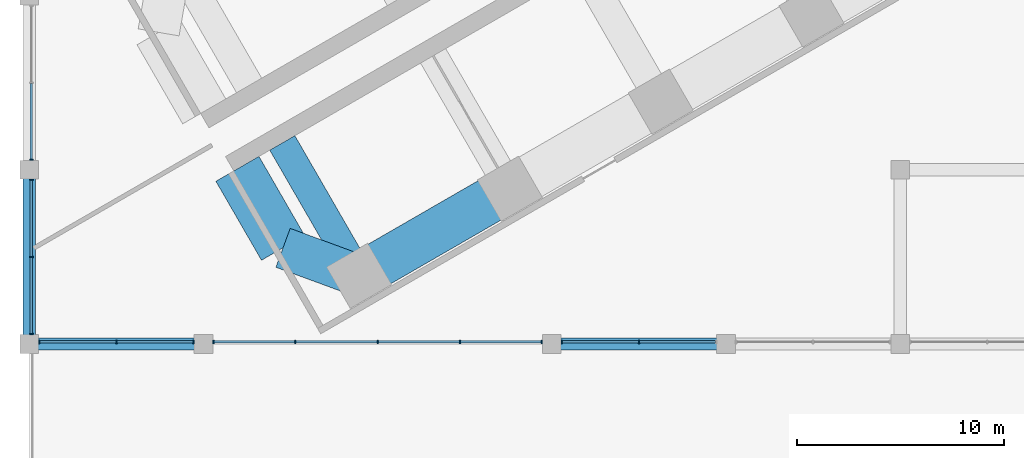
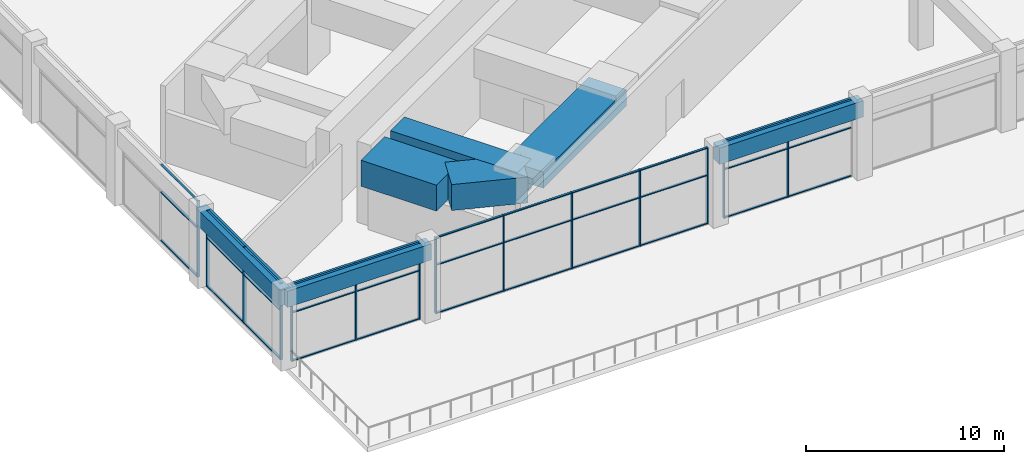
# One storey, part 2 of 36: 47 members, 7 beams, 5 elements without a shape of their own.
"""IFC4 building model written with IfcOpenShell, lengths in metres."""

from ifc_helpers import new_model, si_unit, direction, frame, origin, origin_2d, place, context, subcontext, project, spatial, rectangle, extrude, material, material_profile, profile_set, type_object, element, aggregate, save


model = new_model("IFC4")

# Units and contexts
model_context = context("Model", 3, precision=1e-05, world=origin(), true_north=direction((0.0, 1.0)))
body_context = subcontext(model_context, "Body", "Model", "MODEL_VIEW")
ifc_project = project(units=[si_unit("LENGTHUNIT", "METRE"), si_unit("AREAUNIT", "SQUARE_METRE"), si_unit("VOLUMEUNIT", "CUBIC_METRE"), si_unit("PLANEANGLEUNIT", "RADIAN"), si_unit("MASSUNIT", "GRAM", prefix="KILO")], contexts=[model_context])

# Site, building, storey
site_placement = place(None, origin())
site = spatial("IfcSite", under=ifc_project, at=site_placement, CompositionType="ELEMENT")
building_placement = place(site_placement, origin())
building = spatial("IfcBuilding", under=site, at=building_placement, Name="Impinga Residences", CompositionType="ELEMENT")
storey_placement = place(building_placement, frame((0.0, 0.0, 6.0)))
storey = spatial("IfcBuildingStorey", under=building, at=storey_placement, Name="L01", CompositionType="ELEMENT", Elevation=6.0)

# Beams
ifc_material_1 = material(Name="Concrete C60/75", Category="concrete")
ifc_material_profile_1 = material_profile(ifc_material_1, rectangle(XDim=2.0, YDim=1.60009765625, at=origin_2d()), Name="RC 2000x1600")
ifc_profile_set_1 = profile_set([ifc_material_profile_1], Name="Concrete C60/75")
beam_type_1 = type_object("IfcBeamType", Name="CB2 2000x1600 wing end cantilever beam", PredefinedType="BEAM", material=ifc_profile_set_1)
beam_1_placement = place(storey_placement, frame((-34.49853515625, -30.31005859375, 3.89990234375), z_axis=(-0.938520178725, 0.345224382289, 0.0), x_axis=(-0.345224382289, -0.938520178725, 0.0)))
element("IfcBeam", 1, at=beam_1_placement, inside=storey, type_object=beam_type_1, Name="Beam CB2 WB W5-WX level L02", PredefinedType="BEAM", context=body_context, shape_type="SweptSolid", body=[
    extrude(rectangle(XDim=2.0, YDim=1.60009765625, at=origin_2d()), origin(), (0.0, 0.0, 1.0), 3.905029296875),
])
ifc_material_profile_2 = material_profile(ifc_material_1, rectangle(XDim=1.39990234375, YDim=1.800048828125, at=origin_2d()), Name="RC 1400x1800")
ifc_profile_set_2 = profile_set([ifc_material_profile_2], Name="Concrete C60/75")
beam_type_2 = type_object("IfcBeamType", Name="CG4 1400x1800 cross girder on a wing bay line under the podium floors", PredefinedType="BEAM", material=ifc_profile_set_2)
beam_2_placement = place(storey_placement, frame((-38.198486328125, -23.9013671875, 3.800048828125), z_axis=(0.499988999718, -0.866031754707, 0.0), x_axis=(0.866031754707, 0.499988999718, 0.0)))
element("IfcBeam", 2, at=beam_2_placement, inside=storey, type_object=beam_type_2, Name="Beam CG4 W5 WC/WA level L02", PredefinedType="BEAM", context=body_context, shape_type="SweptSolid", body=[
    extrude(rectangle(XDim=1.39990234375, YDim=1.800048828125, at=origin_2d()), origin(), (0.0, 0.0, 1.0), 7.400146484375),
])

# Curtain wall, members
ifc_material_2 = material(Name="Aluminium stick curtain wall", Category="aluminium")
curtain_wall_type = type_object("IfcCurtainWallType", Name="CW1 podium amenity curtain wall", PredefinedType="USERDEFINED", material=ifc_material_2)
curtain_wall_1_placement = place(storey_placement, origin())
curtain_wall_1 = element("IfcCurtainWall", 3, at=curtain_wall_1_placement, inside=storey, type_object=curtain_wall_type, Name="Curtain wall CW1 L01", ObjectType="STICK CURTAIN WALL", PredefinedType="USERDEFINED")
ifc_material_3 = material(Name="Aluminium mullion", Category="aluminium")
ifc_material_profile_3 = material_profile(ifc_material_3, rectangle(XDim=0.06005859375, YDim=0.179931640625, at=origin_2d()), Name="60x180 mullion")
ifc_profile_set_3 = profile_set([ifc_material_profile_3], Name="Aluminium mullion")
member_type_1 = type_object("IfcMemberType", Name="CW1-M mullion 60x180", PredefinedType="MULLION", material=ifc_profile_set_3)
member_1_placement = place(storey_placement, frame((-50.300048828125, -33.116943359375, 0.0), z_axis=(0.0, 0.0, 1.0), x_axis=(0.0, 1.0, 0.0)))
member_1 = element("IfcMember", 4, at=member_1_placement, type_object=member_type_1, Name="CW1 mullion 1", PredefinedType="MULLION", context=body_context, shape_type="SweptSolid", body=[
    extrude(rectangle(XDim=0.06005859375, YDim=0.179931640625, at=origin_2d()), origin(), (0.0, 0.0, 1.0), 4.699951171875),
])
member_2_placement = place(storey_placement, frame((-50.300048828125, -29.39990234375, 0.0), z_axis=(0.0, 0.0, 1.0), x_axis=(0.0, 1.0, 0.0)))
member_2 = element("IfcMember", 5, at=member_2_placement, type_object=member_type_1, Name="CW1 mullion 2", PredefinedType="MULLION", context=body_context, shape_type="SweptSolid", body=[
    extrude(rectangle(XDim=0.06005859375, YDim=0.179931640625, at=origin_2d()), origin(), (0.0, 0.0, 1.0), 4.699951171875),
])
member_3_placement = place(storey_placement, frame((-50.300048828125, -25.68310546875, 0.0), z_axis=(0.0, 0.0, 1.0), x_axis=(0.0, 1.0, 0.0)))
member_3 = element("IfcMember", 6, at=member_3_placement, type_object=member_type_1, Name="CW1 mullion 3", PredefinedType="MULLION", context=body_context, shape_type="SweptSolid", body=[
    extrude(rectangle(XDim=0.06005859375, YDim=0.179931640625, at=origin_2d()), origin(), (0.0, 0.0, 1.0), 4.699951171875),
])

# Curtain wall, member
curtain_wall_2_placement = place(storey_placement, origin())
curtain_wall_2 = element("IfcCurtainWall", 7, at=curtain_wall_2_placement, inside=storey, type_object=curtain_wall_type, Name="Curtain wall CW1 L01", ObjectType="STICK CURTAIN WALL", PredefinedType="USERDEFINED")
member_4_placement = place(storey_placement, frame((-50.300048828125, -24.717041015625, 0.0), z_axis=(0.0, 0.0, 1.0), x_axis=(0.0, 1.0, 0.0)))
member_4 = element("IfcMember", 8, at=member_4_placement, type_object=member_type_1, Name="CW1 mullion 1", PredefinedType="MULLION", context=body_context, shape_type="SweptSolid", body=[
    extrude(rectangle(XDim=0.06005859375, YDim=0.179931640625, at=origin_2d()), origin(), (0.0, 0.0, 1.0), 4.699951171875),
])

# Curtain wall, members
curtain_wall_3_placement = place(storey_placement, origin())
curtain_wall_3 = element("IfcCurtainWall", 9, at=curtain_wall_3_placement, inside=storey, type_object=curtain_wall_type, Name="Curtain wall CW1 L01", ObjectType="STICK CURTAIN WALL", PredefinedType="USERDEFINED")
member_5_placement = place(storey_placement, frame((-21.0, -33.5, 0.0), z_axis=(0.0, 0.0, 1.0), x_axis=(-1.0, 0.0, 0.0)))
member_5 = element("IfcMember", 10, at=member_5_placement, type_object=member_type_1, Name="CW1 mullion 2", PredefinedType="MULLION", context=body_context, shape_type="SweptSolid", body=[
    extrude(rectangle(XDim=0.06005859375, YDim=0.179931640625, at=origin_2d()), origin(), (0.0, 0.0, 1.0), 4.699951171875),
])
member_6_placement = place(storey_placement, frame((-24.717041015625, -33.5, 0.0), z_axis=(0.0, 0.0, 1.0), x_axis=(-1.0, 0.0, 0.0)))
member_6 = element("IfcMember", 11, at=member_6_placement, type_object=member_type_1, Name="CW1 mullion 3", PredefinedType="MULLION", context=body_context, shape_type="SweptSolid", body=[
    extrude(rectangle(XDim=0.06005859375, YDim=0.179931640625, at=origin_2d()), origin(), (0.0, 0.0, 1.0), 4.699951171875),
])

curtain_wall_4_placement = place(storey_placement, origin())
curtain_wall_4 = element("IfcCurtainWall", 12, at=curtain_wall_4_placement, inside=storey, type_object=curtain_wall_type, Name="Curtain wall CW1 L01", ObjectType="STICK CURTAIN WALL", PredefinedType="USERDEFINED")
member_7_placement = place(storey_placement, frame((-25.68310546875, -33.5, 0.0), z_axis=(0.0, 0.0, 1.0), x_axis=(-1.0, 0.0, 0.0)))
member_7 = element("IfcMember", 13, at=member_7_placement, type_object=member_type_1, Name="CW1 mullion 1", PredefinedType="MULLION", context=body_context, shape_type="SweptSolid", body=[
    extrude(rectangle(XDim=0.06005859375, YDim=0.179931640625, at=origin_2d()), origin(), (0.0, 0.0, 1.0), 4.699951171875),
])
member_8_placement = place(storey_placement, frame((-29.62646484375, -33.5, 0.0), z_axis=(0.0, 0.0, 1.0), x_axis=(-1.0, 0.0, 0.0)))
member_8 = element("IfcMember", 14, at=member_8_placement, type_object=member_type_1, Name="CW1 mullion 2", PredefinedType="MULLION", context=body_context, shape_type="SweptSolid", body=[
    extrude(rectangle(XDim=0.06005859375, YDim=0.179931640625, at=origin_2d()), origin(), (0.0, 0.0, 1.0), 4.699951171875),
])
member_9_placement = place(storey_placement, frame((-33.60009765625, -33.5, 0.0), z_axis=(0.0, 0.0, 1.0), x_axis=(-1.0, 0.0, 0.0)))
member_9 = element("IfcMember", 15, at=member_9_placement, type_object=member_type_1, Name="CW1 mullion 3", PredefinedType="MULLION", context=body_context, shape_type="SweptSolid", body=[
    extrude(rectangle(XDim=0.06005859375, YDim=0.179931640625, at=origin_2d()), origin(), (0.0, 0.0, 1.0), 4.699951171875),
])
member_10_placement = place(storey_placement, frame((-37.573486328125, -33.5, 0.0), z_axis=(0.0, 0.0, 1.0), x_axis=(-1.0, 0.0, 0.0)))
member_10 = element("IfcMember", 16, at=member_10_placement, type_object=member_type_1, Name="CW1 mullion 4", PredefinedType="MULLION", context=body_context, shape_type="SweptSolid", body=[
    extrude(rectangle(XDim=0.06005859375, YDim=0.179931640625, at=origin_2d()), origin(), (0.0, 0.0, 1.0), 4.699951171875),
])
member_11_placement = place(storey_placement, frame((-41.51708984375, -33.5, 0.0), z_axis=(0.0, 0.0, 1.0), x_axis=(-1.0, 0.0, 0.0)))
member_11 = element("IfcMember", 17, at=member_11_placement, type_object=member_type_1, Name="CW1 mullion 5", PredefinedType="MULLION", context=body_context, shape_type="SweptSolid", body=[
    extrude(rectangle(XDim=0.06005859375, YDim=0.179931640625, at=origin_2d()), origin(), (0.0, 0.0, 1.0), 4.699951171875),
])

curtain_wall_5_placement = place(storey_placement, origin())
curtain_wall_5 = element("IfcCurtainWall", 18, at=curtain_wall_5_placement, inside=storey, type_object=curtain_wall_type, Name="Curtain wall CW1 L01", ObjectType="STICK CURTAIN WALL", PredefinedType="USERDEFINED")
member_12_placement = place(storey_placement, frame((-42.48291015625, -33.5, 0.0), z_axis=(0.0, 0.0, 1.0), x_axis=(-1.0, 0.0, 0.0)))
member_12 = element("IfcMember", 19, at=member_12_placement, type_object=member_type_1, Name="CW1 mullion 1", PredefinedType="MULLION", context=body_context, shape_type="SweptSolid", body=[
    extrude(rectangle(XDim=0.06005859375, YDim=0.179931640625, at=origin_2d()), origin(), (0.0, 0.0, 1.0), 4.699951171875),
])
member_13_placement = place(storey_placement, frame((-46.199951171875, -33.5, 0.0), z_axis=(0.0, 0.0, 1.0), x_axis=(-1.0, 0.0, 0.0)))
member_13 = element("IfcMember", 20, at=member_13_placement, type_object=member_type_1, Name="CW1 mullion 2", PredefinedType="MULLION", context=body_context, shape_type="SweptSolid", body=[
    extrude(rectangle(XDim=0.06005859375, YDim=0.179931640625, at=origin_2d()), origin(), (0.0, 0.0, 1.0), 4.699951171875),
])
member_14_placement = place(storey_placement, frame((-49.9169921875, -33.5, 0.0), z_axis=(0.0, 0.0, 1.0), x_axis=(-1.0, 0.0, 0.0)))
member_14 = element("IfcMember", 21, at=member_14_placement, type_object=member_type_1, Name="CW1 mullion 3", PredefinedType="MULLION", context=body_context, shape_type="SweptSolid", body=[
    extrude(rectangle(XDim=0.06005859375, YDim=0.179931640625, at=origin_2d()), origin(), (0.0, 0.0, 1.0), 4.699951171875),
])

# Member
ifc_material_4 = material(Name="Aluminium transom", Category="aluminium")
ifc_material_profile_4 = material_profile(ifc_material_4, rectangle(XDim=0.06005859375, YDim=0.1201171875, at=origin_2d()), Name="60x120 transom")
ifc_profile_set_4 = profile_set([ifc_material_profile_4], Name="Aluminium transom")
member_type_2 = type_object("IfcMemberType", Name="CW1-T transom 60x120", PredefinedType="USERDEFINED", material=ifc_profile_set_4)
member_15_placement = place(storey_placement, frame((-50.300048828125, -33.0869140625, 0.030029296875), z_axis=(0.0, 1.0, 0.0), x_axis=(0.0, 0.0, 1.0)))
member_15 = element("IfcMember", 22, at=member_15_placement, type_object=member_type_2, Name="CW1 transom 1.1", ObjectType="TRANSOM", PredefinedType="USERDEFINED", context=body_context, shape_type="SweptSolid", body=[
    extrude(rectangle(XDim=0.06005859375, YDim=0.1201171875, at=origin_2d()), origin(), (0.0, 0.0, 1.0), 3.656982421875),
])

member_16_placement = place(storey_placement, frame((-50.300048828125, -33.0869140625, 3.0), z_axis=(0.0, 1.0, 0.0), x_axis=(0.0, 0.0, 1.0)))
member_16 = element("IfcMember", 23, at=member_16_placement, type_object=member_type_2, Name="CW1 transom 1.2", ObjectType="TRANSOM", PredefinedType="USERDEFINED", context=body_context, shape_type="SweptSolid", body=[
    extrude(rectangle(XDim=0.06005859375, YDim=0.1201171875, at=origin_2d()), origin(), (0.0, 0.0, 1.0), 3.656982421875),
])

member_17_placement = place(storey_placement, frame((-50.300048828125, -33.0869140625, 4.669921875), z_axis=(0.0, 1.0, 0.0), x_axis=(0.0, 0.0, 1.0)))
member_17 = element("IfcMember", 24, at=member_17_placement, type_object=member_type_2, Name="CW1 transom 1.3", ObjectType="TRANSOM", PredefinedType="USERDEFINED", context=body_context, shape_type="SweptSolid", body=[
    extrude(rectangle(XDim=0.06005859375, YDim=0.1201171875, at=origin_2d()), origin(), (0.0, 0.0, 1.0), 3.656982421875),
])

member_18_placement = place(storey_placement, frame((-50.300048828125, -29.3701171875, 0.030029296875), z_axis=(0.0, 1.0, 0.0), x_axis=(0.0, 0.0, 1.0)))
member_18 = element("IfcMember", 25, at=member_18_placement, type_object=member_type_2, Name="CW1 transom 2.1", ObjectType="TRANSOM", PredefinedType="USERDEFINED", context=body_context, shape_type="SweptSolid", body=[
    extrude(rectangle(XDim=0.06005859375, YDim=0.1201171875, at=origin_2d()), origin(), (0.0, 0.0, 1.0), 3.6572265625),
])

member_19_placement = place(storey_placement, frame((-50.300048828125, -29.3701171875, 3.0), z_axis=(0.0, 1.0, 0.0), x_axis=(0.0, 0.0, 1.0)))
member_19 = element("IfcMember", 26, at=member_19_placement, type_object=member_type_2, Name="CW1 transom 2.2", ObjectType="TRANSOM", PredefinedType="USERDEFINED", context=body_context, shape_type="SweptSolid", body=[
    extrude(rectangle(XDim=0.06005859375, YDim=0.1201171875, at=origin_2d()), origin(), (0.0, 0.0, 1.0), 3.6572265625),
])

member_20_placement = place(storey_placement, frame((-50.300048828125, -29.3701171875, 4.669921875), z_axis=(0.0, 1.0, 0.0), x_axis=(0.0, 0.0, 1.0)))
member_20 = element("IfcMember", 27, at=member_20_placement, type_object=member_type_2, Name="CW1 transom 2.3", ObjectType="TRANSOM", PredefinedType="USERDEFINED", context=body_context, shape_type="SweptSolid", body=[
    extrude(rectangle(XDim=0.06005859375, YDim=0.1201171875, at=origin_2d()), origin(), (0.0, 0.0, 1.0), 3.6572265625),
])

aggregate(curtain_wall_1, [member_1, member_2, member_3, member_15, member_16, member_17, member_18, member_19, member_20])

member_21_placement = place(storey_placement, frame((-50.300048828125, -24.68701171875, 0.030029296875), z_axis=(0.0, 1.0, 0.0), x_axis=(0.0, 0.0, 1.0)))
member_21 = element("IfcMember", 28, at=member_21_placement, type_object=member_type_2, Name="CW1 transom 1.1", ObjectType="TRANSOM", PredefinedType="USERDEFINED", context=body_context, shape_type="SweptSolid", body=[
    extrude(rectangle(XDim=0.06005859375, YDim=0.1201171875, at=origin_2d()), origin(), (0.0, 0.0, 1.0), 3.656982421875),
])

member_22_placement = place(storey_placement, frame((-50.300048828125, -24.68701171875, 3.0), z_axis=(0.0, 1.0, 0.0), x_axis=(0.0, 0.0, 1.0)))
member_22 = element("IfcMember", 29, at=member_22_placement, type_object=member_type_2, Name="CW1 transom 1.2", ObjectType="TRANSOM", PredefinedType="USERDEFINED", context=body_context, shape_type="SweptSolid", body=[
    extrude(rectangle(XDim=0.06005859375, YDim=0.1201171875, at=origin_2d()), origin(), (0.0, 0.0, 1.0), 3.656982421875),
])

member_23_placement = place(storey_placement, frame((-50.300048828125, -24.68701171875, 4.669921875), z_axis=(0.0, 1.0, 0.0), x_axis=(0.0, 0.0, 1.0)))
member_23 = element("IfcMember", 30, at=member_23_placement, type_object=member_type_2, Name="CW1 transom 1.3", ObjectType="TRANSOM", PredefinedType="USERDEFINED", context=body_context, shape_type="SweptSolid", body=[
    extrude(rectangle(XDim=0.06005859375, YDim=0.1201171875, at=origin_2d()), origin(), (0.0, 0.0, 1.0), 3.656982421875),
])

aggregate(curtain_wall_2, [member_4, member_21, member_22, member_23])

member_24_placement = place(storey_placement, frame((-17.31298828125, -33.5, 0.030029296875), z_axis=(-1.0, 0.0, 0.0), x_axis=(0.0, 0.0, 1.0)))
member_24 = element("IfcMember", 31, at=member_24_placement, type_object=member_type_2, Name="CW1 transom 1.1", ObjectType="TRANSOM", PredefinedType="USERDEFINED", context=body_context, shape_type="SweptSolid", body=[
    extrude(rectangle(XDim=0.06005859375, YDim=0.1201171875, at=origin_2d()), origin(), (0.0, 0.0, 1.0), 3.656982421875),
])

member_25_placement = place(storey_placement, frame((-17.31298828125, -33.5, 3.0), z_axis=(-1.0, 0.0, 0.0), x_axis=(0.0, 0.0, 1.0)))
member_25 = element("IfcMember", 32, at=member_25_placement, type_object=member_type_2, Name="CW1 transom 1.2", ObjectType="TRANSOM", PredefinedType="USERDEFINED", context=body_context, shape_type="SweptSolid", body=[
    extrude(rectangle(XDim=0.06005859375, YDim=0.1201171875, at=origin_2d()), origin(), (0.0, 0.0, 1.0), 3.656982421875),
])

member_26_placement = place(storey_placement, frame((-17.31298828125, -33.5, 4.669921875), z_axis=(-1.0, 0.0, 0.0), x_axis=(0.0, 0.0, 1.0)))
member_26 = element("IfcMember", 33, at=member_26_placement, type_object=member_type_2, Name="CW1 transom 1.3", ObjectType="TRANSOM", PredefinedType="USERDEFINED", context=body_context, shape_type="SweptSolid", body=[
    extrude(rectangle(XDim=0.06005859375, YDim=0.1201171875, at=origin_2d()), origin(), (0.0, 0.0, 1.0), 3.656982421875),
])

member_27_placement = place(storey_placement, frame((-21.030029296875, -33.5, 0.030029296875), z_axis=(-1.0, 0.0, 0.0), x_axis=(0.0, 0.0, 1.0)))
member_27 = element("IfcMember", 34, at=member_27_placement, type_object=member_type_2, Name="CW1 transom 2.1", ObjectType="TRANSOM", PredefinedType="USERDEFINED", context=body_context, shape_type="SweptSolid", body=[
    extrude(rectangle(XDim=0.06005859375, YDim=0.1201171875, at=origin_2d()), origin(), (0.0, 0.0, 1.0), 3.656982421875),
])

member_28_placement = place(storey_placement, frame((-21.030029296875, -33.5, 3.0), z_axis=(-1.0, 0.0, 0.0), x_axis=(0.0, 0.0, 1.0)))
member_28 = element("IfcMember", 35, at=member_28_placement, type_object=member_type_2, Name="CW1 transom 2.2", ObjectType="TRANSOM", PredefinedType="USERDEFINED", context=body_context, shape_type="SweptSolid", body=[
    extrude(rectangle(XDim=0.06005859375, YDim=0.1201171875, at=origin_2d()), origin(), (0.0, 0.0, 1.0), 3.656982421875),
])

member_29_placement = place(storey_placement, frame((-21.030029296875, -33.5, 4.669921875), z_axis=(-1.0, 0.0, 0.0), x_axis=(0.0, 0.0, 1.0)))
member_29 = element("IfcMember", 36, at=member_29_placement, type_object=member_type_2, Name="CW1 transom 2.3", ObjectType="TRANSOM", PredefinedType="USERDEFINED", context=body_context, shape_type="SweptSolid", body=[
    extrude(rectangle(XDim=0.06005859375, YDim=0.1201171875, at=origin_2d()), origin(), (0.0, 0.0, 1.0), 3.656982421875),
])

aggregate(curtain_wall_3, [member_5, member_6, member_24, member_25, member_26, member_27, member_28, member_29])

member_30_placement = place(storey_placement, frame((-25.712890625, -33.5, 0.030029296875), z_axis=(-1.0, 0.0, 0.0), x_axis=(0.0, 0.0, 1.0)))
member_30 = element("IfcMember", 37, at=member_30_placement, type_object=member_type_2, Name="CW1 transom 1.1", ObjectType="TRANSOM", PredefinedType="USERDEFINED", context=body_context, shape_type="SweptSolid", body=[
    extrude(rectangle(XDim=0.06005859375, YDim=0.1201171875, at=origin_2d()), origin(), (0.0, 0.0, 1.0), 3.883544921875),
])

member_31_placement = place(storey_placement, frame((-25.712890625, -33.5, 3.0), z_axis=(-1.0, 0.0, 0.0), x_axis=(0.0, 0.0, 1.0)))
member_31 = element("IfcMember", 38, at=member_31_placement, type_object=member_type_2, Name="CW1 transom 1.2", ObjectType="TRANSOM", PredefinedType="USERDEFINED", context=body_context, shape_type="SweptSolid", body=[
    extrude(rectangle(XDim=0.06005859375, YDim=0.1201171875, at=origin_2d()), origin(), (0.0, 0.0, 1.0), 3.883544921875),
])

member_32_placement = place(storey_placement, frame((-25.712890625, -33.5, 4.669921875), z_axis=(-1.0, 0.0, 0.0), x_axis=(0.0, 0.0, 1.0)))
member_32 = element("IfcMember", 39, at=member_32_placement, type_object=member_type_2, Name="CW1 transom 1.3", ObjectType="TRANSOM", PredefinedType="USERDEFINED", context=body_context, shape_type="SweptSolid", body=[
    extrude(rectangle(XDim=0.06005859375, YDim=0.1201171875, at=origin_2d()), origin(), (0.0, 0.0, 1.0), 3.883544921875),
])

member_33_placement = place(storey_placement, frame((-29.656494140625, -33.5, 0.030029296875), z_axis=(-1.0, 0.0, 0.0), x_axis=(0.0, 0.0, 1.0)))
member_33 = element("IfcMember", 40, at=member_33_placement, type_object=member_type_2, Name="CW1 transom 2.1", ObjectType="TRANSOM", PredefinedType="USERDEFINED", context=body_context, shape_type="SweptSolid", body=[
    extrude(rectangle(XDim=0.06005859375, YDim=0.1201171875, at=origin_2d()), origin(), (0.0, 0.0, 1.0), 3.91357421875),
])

member_34_placement = place(storey_placement, frame((-29.656494140625, -33.5, 3.0), z_axis=(-1.0, 0.0, 0.0), x_axis=(0.0, 0.0, 1.0)))
member_34 = element("IfcMember", 41, at=member_34_placement, type_object=member_type_2, Name="CW1 transom 2.2", ObjectType="TRANSOM", PredefinedType="USERDEFINED", context=body_context, shape_type="SweptSolid", body=[
    extrude(rectangle(XDim=0.06005859375, YDim=0.1201171875, at=origin_2d()), origin(), (0.0, 0.0, 1.0), 3.91357421875),
])

member_35_placement = place(storey_placement, frame((-29.656494140625, -33.5, 4.669921875), z_axis=(-1.0, 0.0, 0.0), x_axis=(0.0, 0.0, 1.0)))
member_35 = element("IfcMember", 42, at=member_35_placement, type_object=member_type_2, Name="CW1 transom 2.3", ObjectType="TRANSOM", PredefinedType="USERDEFINED", context=body_context, shape_type="SweptSolid", body=[
    extrude(rectangle(XDim=0.06005859375, YDim=0.1201171875, at=origin_2d()), origin(), (0.0, 0.0, 1.0), 3.91357421875),
])

member_36_placement = place(storey_placement, frame((-33.6298828125, -33.5, 0.030029296875), z_axis=(-1.0, 0.0, 0.0), x_axis=(0.0, 0.0, 1.0)))
member_36 = element("IfcMember", 43, at=member_36_placement, type_object=member_type_2, Name="CW1 transom 3.1", ObjectType="TRANSOM", PredefinedType="USERDEFINED", context=body_context, shape_type="SweptSolid", body=[
    extrude(rectangle(XDim=0.06005859375, YDim=0.1201171875, at=origin_2d()), origin(), (0.0, 0.0, 1.0), 3.91357421875),
])

member_37_placement = place(storey_placement, frame((-33.6298828125, -33.5, 3.0), z_axis=(-1.0, 0.0, 0.0), x_axis=(0.0, 0.0, 1.0)))
member_37 = element("IfcMember", 44, at=member_37_placement, type_object=member_type_2, Name="CW1 transom 3.2", ObjectType="TRANSOM", PredefinedType="USERDEFINED", context=body_context, shape_type="SweptSolid", body=[
    extrude(rectangle(XDim=0.06005859375, YDim=0.1201171875, at=origin_2d()), origin(), (0.0, 0.0, 1.0), 3.91357421875),
])

member_38_placement = place(storey_placement, frame((-33.6298828125, -33.5, 4.669921875), z_axis=(-1.0, 0.0, 0.0), x_axis=(0.0, 0.0, 1.0)))
member_38 = element("IfcMember", 45, at=member_38_placement, type_object=member_type_2, Name="CW1 transom 3.3", ObjectType="TRANSOM", PredefinedType="USERDEFINED", context=body_context, shape_type="SweptSolid", body=[
    extrude(rectangle(XDim=0.06005859375, YDim=0.1201171875, at=origin_2d()), origin(), (0.0, 0.0, 1.0), 3.91357421875),
])

member_39_placement = place(storey_placement, frame((-37.603515625, -33.5, 0.030029296875), z_axis=(-1.0, 0.0, 0.0), x_axis=(0.0, 0.0, 1.0)))
member_39 = element("IfcMember", 46, at=member_39_placement, type_object=member_type_2, Name="CW1 transom 4.1", ObjectType="TRANSOM", PredefinedType="USERDEFINED", context=body_context, shape_type="SweptSolid", body=[
    extrude(rectangle(XDim=0.06005859375, YDim=0.1201171875, at=origin_2d()), origin(), (0.0, 0.0, 1.0), 3.883544921875),
])

member_40_placement = place(storey_placement, frame((-37.603515625, -33.5, 3.0), z_axis=(-1.0, 0.0, 0.0), x_axis=(0.0, 0.0, 1.0)))
member_40 = element("IfcMember", 47, at=member_40_placement, type_object=member_type_2, Name="CW1 transom 4.2", ObjectType="TRANSOM", PredefinedType="USERDEFINED", context=body_context, shape_type="SweptSolid", body=[
    extrude(rectangle(XDim=0.06005859375, YDim=0.1201171875, at=origin_2d()), origin(), (0.0, 0.0, 1.0), 3.883544921875),
])

member_41_placement = place(storey_placement, frame((-37.603515625, -33.5, 4.669921875), z_axis=(-1.0, 0.0, 0.0), x_axis=(0.0, 0.0, 1.0)))
member_41 = element("IfcMember", 48, at=member_41_placement, type_object=member_type_2, Name="CW1 transom 4.3", ObjectType="TRANSOM", PredefinedType="USERDEFINED", context=body_context, shape_type="SweptSolid", body=[
    extrude(rectangle(XDim=0.06005859375, YDim=0.1201171875, at=origin_2d()), origin(), (0.0, 0.0, 1.0), 3.883544921875),
])

aggregate(curtain_wall_4, [member_7, member_8, member_9, member_10, member_11, member_30, member_31, member_32, member_33, member_34, member_35, member_36, member_37, member_38, member_39, member_40, member_41])

member_42_placement = place(storey_placement, frame((-42.512939453125, -33.5, 0.030029296875), z_axis=(-1.0, 0.0, 0.0), x_axis=(0.0, 0.0, 1.0)))
member_42 = element("IfcMember", 49, at=member_42_placement, type_object=member_type_2, Name="CW1 transom 1.1", ObjectType="TRANSOM", PredefinedType="USERDEFINED", context=body_context, shape_type="SweptSolid", body=[
    extrude(rectangle(XDim=0.06005859375, YDim=0.1201171875, at=origin_2d()), origin(), (0.0, 0.0, 1.0), 3.656982421875),
])

member_43_placement = place(storey_placement, frame((-42.512939453125, -33.5, 3.0), z_axis=(-1.0, 0.0, 0.0), x_axis=(0.0, 0.0, 1.0)))
member_43 = element("IfcMember", 50, at=member_43_placement, type_object=member_type_2, Name="CW1 transom 1.2", ObjectType="TRANSOM", PredefinedType="USERDEFINED", context=body_context, shape_type="SweptSolid", body=[
    extrude(rectangle(XDim=0.06005859375, YDim=0.1201171875, at=origin_2d()), origin(), (0.0, 0.0, 1.0), 3.656982421875),
])

member_44_placement = place(storey_placement, frame((-42.512939453125, -33.5, 4.669921875), z_axis=(-1.0, 0.0, 0.0), x_axis=(0.0, 0.0, 1.0)))
member_44 = element("IfcMember", 51, at=member_44_placement, type_object=member_type_2, Name="CW1 transom 1.3", ObjectType="TRANSOM", PredefinedType="USERDEFINED", context=body_context, shape_type="SweptSolid", body=[
    extrude(rectangle(XDim=0.06005859375, YDim=0.1201171875, at=origin_2d()), origin(), (0.0, 0.0, 1.0), 3.656982421875),
])

member_45_placement = place(storey_placement, frame((-46.22998046875, -33.5, 0.030029296875), z_axis=(-1.0, 0.0, 0.0), x_axis=(0.0, 0.0, 1.0)))
member_45 = element("IfcMember", 52, at=member_45_placement, type_object=member_type_2, Name="CW1 transom 2.1", ObjectType="TRANSOM", PredefinedType="USERDEFINED", context=body_context, shape_type="SweptSolid", body=[
    extrude(rectangle(XDim=0.06005859375, YDim=0.1201171875, at=origin_2d()), origin(), (0.0, 0.0, 1.0), 3.656982421875),
])

member_46_placement = place(storey_placement, frame((-46.22998046875, -33.5, 3.0), z_axis=(-1.0, 0.0, 0.0), x_axis=(0.0, 0.0, 1.0)))
member_46 = element("IfcMember", 53, at=member_46_placement, type_object=member_type_2, Name="CW1 transom 2.2", ObjectType="TRANSOM", PredefinedType="USERDEFINED", context=body_context, shape_type="SweptSolid", body=[
    extrude(rectangle(XDim=0.06005859375, YDim=0.1201171875, at=origin_2d()), origin(), (0.0, 0.0, 1.0), 3.656982421875),
])

member_47_placement = place(storey_placement, frame((-46.22998046875, -33.5, 4.669921875), z_axis=(-1.0, 0.0, 0.0), x_axis=(0.0, 0.0, 1.0)))
member_47 = element("IfcMember", 54, at=member_47_placement, type_object=member_type_2, Name="CW1 transom 2.3", ObjectType="TRANSOM", PredefinedType="USERDEFINED", context=body_context, shape_type="SweptSolid", body=[
    extrude(rectangle(XDim=0.06005859375, YDim=0.1201171875, at=origin_2d()), origin(), (0.0, 0.0, 1.0), 3.656982421875),
])

aggregate(curtain_wall_5, [member_12, member_13, member_14, member_42, member_43, member_44, member_45, member_46, member_47])

# Beams
ifc_material_profile_5 = material_profile(ifc_material_1, rectangle(XDim=2.39990234375, YDim=1.60009765625, at=origin_2d()), Name="RC 2400x1600")
ifc_profile_set_5 = profile_set([ifc_material_profile_5], Name="Concrete C60/75")
beam_type_3 = type_object("IfcBeamType", Name="EB2 2400x1600 wing end beam", PredefinedType="BEAM", material=ifc_profile_set_5)
beam_3_placement = place(storey_placement, frame((-38.16357421875, -28.9619140625, 3.89990234375), z_axis=(-0.499988222896, 0.866032203192, 0.0), x_axis=(-0.866032203192, -0.499988222896, 0.0)))
element("IfcBeam", 55, at=beam_3_placement, inside=storey, type_object=beam_type_3, Name="Beam EB2 WX4 level L02", PredefinedType="BEAM", context=body_context, shape_type="SweptSolid", body=[
    extrude(rectangle(XDim=2.39990234375, YDim=1.60009765625, at=origin_2d()), origin(), (0.0, 0.0, 1.0), 4.39990234375),
])
ifc_material_profile_6 = material_profile(ifc_material_1, rectangle(XDim=0.60009765625, YDim=1.0, at=origin_2d()), Name="RC 600x1000")
ifc_profile_set_6 = profile_set([ifc_material_profile_6], Name="Concrete C60/75")
beam_type_4 = type_object("IfcBeamType", Name="PB2 600x1000 podium beam", PredefinedType="BEAM", material=ifc_profile_set_6)
for number, where, z_axis, x_axis, name in (
    (56, (-50.39990234375, -33.60009765625, 4.199951171875), (1.0, 0.0, 0.0), (0.0, 1.0, 0.0), "Beam PB2 B/1-2 level L02"),
    (57, (-25.199951171875, -33.60009765625, 4.199951171875), (1.0, 0.0, 0.0), (0.0, 1.0, 0.0), "Beam PB2 B/4-5 level L02"),
):
    element("IfcBeam", number, at=place(storey_placement, frame(where, z_axis=z_axis, x_axis=x_axis)), inside=storey, type_object=beam_type_4, Name=name, PredefinedType="BEAM", context=body_context, shape_type="SweptSolid", body=[
        extrude(rectangle(XDim=0.60009765625, YDim=1.0, at=origin_2d()), origin(), (0.0, 0.0, 1.0), 8.39990234375),
    ])
beam_4_placement = place(storey_placement, frame((-50.39990234375, -33.60009765625, 4.199951171875), z_axis=(0.0, 1.0, 0.0), x_axis=(-1.0, 0.0, 0.0)))
element("IfcBeam", 58, at=beam_4_placement, inside=storey, type_object=beam_type_4, Name="Beam PB2 1/B-C level L02", PredefinedType="BEAM", context=body_context, shape_type="SweptSolid", body=[
    extrude(rectangle(XDim=0.60009765625, YDim=1.0, at=origin_2d()), origin(), (0.0, 0.0, 1.0), 8.400146484375),
])
ifc_material_profile_7 = material_profile(ifc_material_1, rectangle(XDim=2.199951171875, YDim=1.0, at=origin_2d()), Name="RC 2200x1000")
ifc_profile_set_7 = profile_set([ifc_material_profile_7], Name="Concrete C60/75")
beam_type_5 = type_object("IfcBeamType", Name="PB3 2200x1000 podium band beam", PredefinedType="BEAM", material=ifc_profile_set_7)
beam_5_placement = place(storey_placement, frame((-27.223876953125, -26.110107421875, 4.199951171875), z_axis=(-0.86602925447, -0.499993330357, 0.0), x_axis=(0.499993330357, -0.86602925447, 0.0)))
element("IfcBeam", 59, at=beam_5_placement, inside=storey, type_object=beam_type_5, Name="Beam PB3 WA W4-W5 level L02", PredefinedType="BEAM", context=body_context, shape_type="SweptSolid", body=[
    extrude(rectangle(XDim=2.199951171875, YDim=1.0, at=origin_2d()), origin(), (0.0, 0.0, 1.0), 8.39990234375),
])

save(model, "model.ifc")
